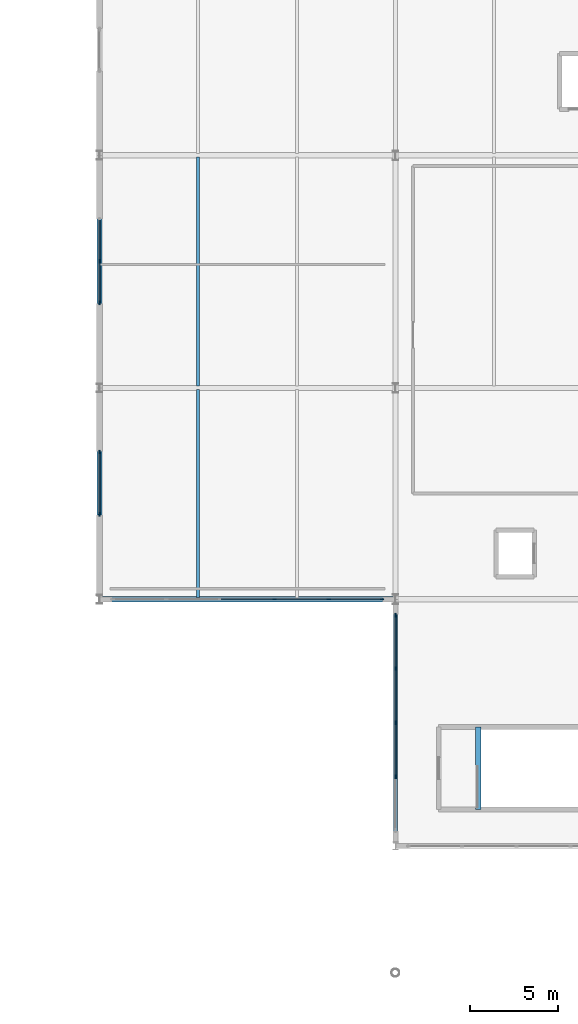
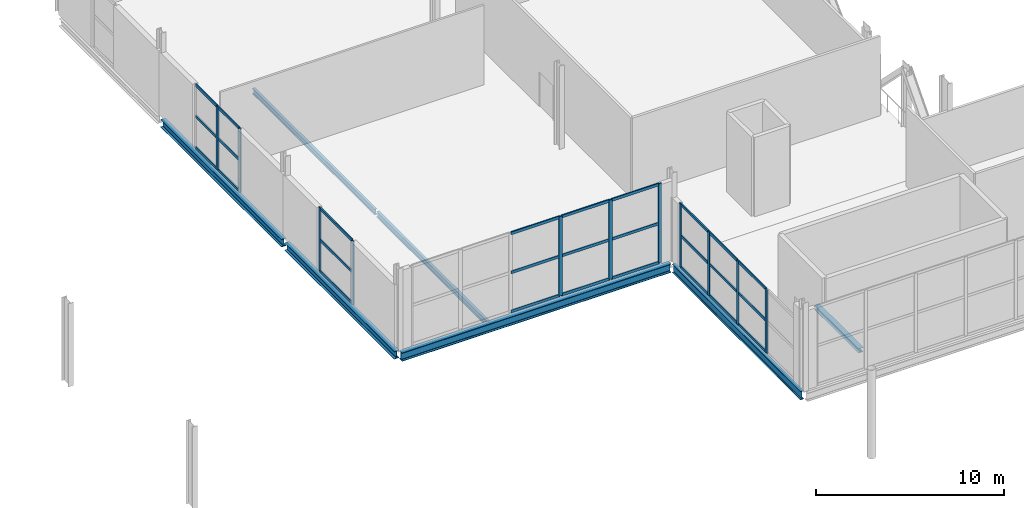
# One storey, part 19 of 84: 38 members, 7 beams, 4 elements without a shape of their own.
"""IFC4 building model written with IfcOpenShell, lengths in metres."""

from ifc_helpers import new_model, si_unit, direction, frame, origin, origin_2d, place, context, subcontext, project, spatial, rectangle, i_section, extrude, material, material_profile, profile_set, type_object, element, aggregate, save


model = new_model("IFC4")

# Units and contexts
model_context = context("Model", 3, precision=1e-05, world=origin(), true_north=direction((0.0, 1.0)))
body_context = subcontext(model_context, "Body", "Model", "MODEL_VIEW")
ifc_project = project(units=[si_unit("LENGTHUNIT", "METRE"), si_unit("AREAUNIT", "SQUARE_METRE"), si_unit("VOLUMEUNIT", "CUBIC_METRE"), si_unit("PLANEANGLEUNIT", "RADIAN"), si_unit("MASSUNIT", "GRAM", prefix="KILO")], contexts=[model_context])

# Site, building, storey
site_placement = place(None, origin())
site = spatial("IfcSite", under=ifc_project, at=site_placement, CompositionType="ELEMENT")
building_placement = place(site_placement, origin())
building = spatial("IfcBuilding", under=site, at=building_placement, Name="Kimbaza Rail Terminus", CompositionType="ELEMENT")
storey_placement = place(building_placement, frame((0.0, 0.0, 5.39990234375)))
storey = spatial("IfcBuildingStorey", under=building, at=storey_placement, Name="L01", CompositionType="ELEMENT", Elevation=5.39990234375)

# Curtain wall, members
ifc_material_1 = material(Name="Anodised aluminium framing and solar low-E glazing", Category="aluminium")
curtain_wall_type = type_object("IfcCurtainWallType", Name="ARC-CW-TH1", PredefinedType="USERDEFINED", material=ifc_material_1)
curtain_wall_1_placement = place(storey_placement, origin())
curtain_wall_1 = element("IfcCurtainWall", 1, at=curtain_wall_1_placement, inside=storey, type_object=curtain_wall_type, Name="Concourse W Return Curtain Wall L01", ObjectType="UNITISED CURTAIN WALL", PredefinedType="USERDEFINED")
ifc_material_2 = material(Name="Anodised architectural aluminium", Category="aluminium")
ifc_material_profile_1 = material_profile(ifc_material_2, rectangle(XDim=0.074951171875, YDim=0.219970703125, at=origin_2d()), Name="MULLION 75x220")
ifc_profile_set_1 = profile_set([ifc_material_profile_1], Name="Anodised architectural aluminium")
member_type_1 = type_object("IfcMemberType", Name="ARC-CWM-01", PredefinedType="MULLION", material=ifc_profile_set_1)
member_1_placement = place(storey_placement, frame((55.199951171875, 44.929931640625, 0.0), z_axis=(0.0, 0.0, 1.0), x_axis=(-1.0, 0.0, 0.0)))
member_1 = element("IfcMember", 2, at=member_1_placement, type_object=member_type_1, Name="CW-01 mullion 2", PredefinedType="MULLION", context=body_context, shape_type="SweptSolid", body=[
    extrude(rectangle(XDim=0.074951171875, YDim=0.219970703125, at=origin_2d()), origin(), (0.0, 0.0, 1.0), 4.125),
])
member_2_placement = place(storey_placement, frame((55.199951171875, 48.0, 0.0), z_axis=(0.0, 0.0, 1.0), x_axis=(-1.0, 0.0, 0.0)))
member_2 = element("IfcMember", 3, at=member_2_placement, type_object=member_type_1, Name="CW-01 mullion 3", PredefinedType="MULLION", context=body_context, shape_type="SweptSolid", body=[
    extrude(rectangle(XDim=0.074951171875, YDim=0.219970703125, at=origin_2d()), origin(), (0.0, 0.0, 1.0), 4.125),
])
member_3_placement = place(storey_placement, frame((55.199951171875, 51.070068359375, 0.0), z_axis=(0.0, 0.0, 1.0), x_axis=(-1.0, 0.0, 0.0)))
member_3 = element("IfcMember", 4, at=member_3_placement, type_object=member_type_1, Name="CW-01 mullion 4", PredefinedType="MULLION", context=body_context, shape_type="SweptSolid", body=[
    extrude(rectangle(XDim=0.074951171875, YDim=0.219970703125, at=origin_2d()), origin(), (0.0, 0.0, 1.0), 4.125),
])
member_4_placement = place(storey_placement, frame((55.199951171875, 54.1025390625, 0.0), z_axis=(0.0, 0.0, 1.0), x_axis=(-1.0, 0.0, 0.0)))
member_4 = element("IfcMember", 5, at=member_4_placement, type_object=member_type_1, Name="CW-01 mullion 5", PredefinedType="MULLION", context=body_context, shape_type="SweptSolid", body=[
    extrude(rectangle(XDim=0.074951171875, YDim=0.219970703125, at=origin_2d()), origin(), (0.0, 0.0, 1.0), 4.125),
])

curtain_wall_2_placement = place(storey_placement, origin())
curtain_wall_2 = element("IfcCurtainWall", 6, at=curtain_wall_2_placement, inside=storey, type_object=curtain_wall_type, Name="Ticket Hall Wing W Curtain Wall L01.1", ObjectType="UNITISED CURTAIN WALL", PredefinedType="USERDEFINED")
member_5_placement = place(storey_placement, frame((48.3359375, 55.0, 0.0), z_axis=(0.0, 0.0, 1.0), x_axis=(0.0, 1.0, 0.0)))
member_5 = element("IfcMember", 7, at=member_5_placement, type_object=member_type_1, Name="CW-01 mullion 4", PredefinedType="MULLION", context=body_context, shape_type="SweptSolid", body=[
    extrude(rectangle(XDim=0.074951171875, YDim=0.219970703125, at=origin_2d()), origin(), (0.0, 0.0, 1.0), 5.14013671875),
])
member_6_placement = place(storey_placement, frame((51.407958984375, 55.0, 0.0), z_axis=(0.0, 0.0, 1.0), x_axis=(0.0, 1.0, 0.0)))
member_6 = element("IfcMember", 8, at=member_6_placement, type_object=member_type_1, Name="CW-01 mullion 5", PredefinedType="MULLION", context=body_context, shape_type="SweptSolid", body=[
    extrude(rectangle(XDim=0.074951171875, YDim=0.219970703125, at=origin_2d()), origin(), (0.0, 0.0, 1.0), 5.14013671875),
])
member_7_placement = place(storey_placement, frame((54.4423828125, 55.0, 0.0), z_axis=(0.0, 0.0, 1.0), x_axis=(0.0, 1.0, 0.0)))
member_7 = element("IfcMember", 9, at=member_7_placement, type_object=member_type_1, Name="CW-01 mullion 6", PredefinedType="MULLION", context=body_context, shape_type="SweptSolid", body=[
    extrude(rectangle(XDim=0.074951171875, YDim=0.219970703125, at=origin_2d()), origin(), (0.0, 0.0, 1.0), 5.14013671875),
])

curtain_wall_3_placement = place(storey_placement, origin())
curtain_wall_3 = element("IfcCurtainWall", 10, at=curtain_wall_3_placement, inside=storey, type_object=curtain_wall_type, Name="Ticket Hall W Glazing L01.1", ObjectType="UNITISED CURTAIN WALL", PredefinedType="USERDEFINED")
member_8_placement = place(storey_placement, frame((38.39990234375, 59.83740234375, 0.0), z_axis=(0.0, 0.0, 1.0), x_axis=(-1.0, 0.0, 0.0)))
member_8 = element("IfcMember", 11, at=member_8_placement, type_object=member_type_1, Name="CW-01 mullion 1", PredefinedType="MULLION", context=body_context, shape_type="SweptSolid", body=[
    extrude(rectangle(XDim=0.074951171875, YDim=0.219970703125, at=origin_2d()), origin(), (0.0, 0.0, 1.0), 4.125),
])
member_9_placement = place(storey_placement, frame((38.39990234375, 63.362548828125, 0.0), z_axis=(0.0, 0.0, 1.0), x_axis=(-1.0, 0.0, 0.0)))
member_9 = element("IfcMember", 12, at=member_9_placement, type_object=member_type_1, Name="CW-01 mullion 2", PredefinedType="MULLION", context=body_context, shape_type="SweptSolid", body=[
    extrude(rectangle(XDim=0.074951171875, YDim=0.219970703125, at=origin_2d()), origin(), (0.0, 0.0, 1.0), 4.125),
])

curtain_wall_4_placement = place(storey_placement, origin())
curtain_wall_4 = element("IfcCurtainWall", 13, at=curtain_wall_4_placement, inside=storey, type_object=curtain_wall_type, Name="Ticket Hall W Glazing L01.2", ObjectType="UNITISED CURTAIN WALL", PredefinedType="USERDEFINED")
member_10_placement = place(storey_placement, frame((38.39990234375, 71.83740234375, 0.0), z_axis=(0.0, 0.0, 1.0), x_axis=(-1.0, 0.0, 0.0)))
member_10 = element("IfcMember", 14, at=member_10_placement, type_object=member_type_1, Name="CW-01 mullion 1", PredefinedType="MULLION", context=body_context, shape_type="SweptSolid", body=[
    extrude(rectangle(XDim=0.074951171875, YDim=0.219970703125, at=origin_2d()), origin(), (0.0, 0.0, 1.0), 4.125),
])
member_11_placement = place(storey_placement, frame((38.39990234375, 74.199951171875, 0.0), z_axis=(0.0, 0.0, 1.0), x_axis=(-1.0, 0.0, 0.0)))
member_11 = element("IfcMember", 15, at=member_11_placement, type_object=member_type_1, Name="CW-01 mullion 2", PredefinedType="MULLION", context=body_context, shape_type="SweptSolid", body=[
    extrude(rectangle(XDim=0.074951171875, YDim=0.219970703125, at=origin_2d()), origin(), (0.0, 0.0, 1.0), 4.125),
])

# Member
ifc_material_3 = material(Name="Anodised architectural aluminium", Category="aluminium")
ifc_material_profile_2 = material_profile(ifc_material_3, rectangle(XDim=0.074951171875, YDim=0.179931640625, at=origin_2d()), Name="TRANSOM 75x180")
ifc_profile_set_2 = profile_set([ifc_material_profile_2], Name="Anodised architectural aluminium")
member_type_2 = type_object("IfcMemberType", Name="ARC-CWT-01", PredefinedType="USERDEFINED", material=ifc_profile_set_2)
member_12_placement = place(storey_placement, frame((55.199951171875, 44.967529296875, 0.03759765625), z_axis=(0.0, 1.0, 0.0), x_axis=(-1.0, 0.0, 0.0)))
member_12 = element("IfcMember", 16, at=member_12_placement, type_object=member_type_2, Name="CW-01 transom 2.1", ObjectType="TRANSOM", PredefinedType="USERDEFINED", context=body_context, shape_type="SweptSolid", body=[
    extrude(rectangle(XDim=0.074951171875, YDim=0.179931640625, at=origin_2d()), origin(), (0.0, 0.0, 1.0), 2.994873046875),
])

member_13_placement = place(storey_placement, frame((55.199951171875, 44.967529296875, 2.0625), z_axis=(0.0, 1.0, 0.0), x_axis=(-1.0, 0.0, 0.0)))
member_13 = element("IfcMember", 17, at=member_13_placement, type_object=member_type_2, Name="CW-01 transom 2.2", ObjectType="TRANSOM", PredefinedType="USERDEFINED", context=body_context, shape_type="SweptSolid", body=[
    extrude(rectangle(XDim=0.074951171875, YDim=0.179931640625, at=origin_2d()), origin(), (0.0, 0.0, 1.0), 2.994873046875),
])

member_14_placement = place(storey_placement, frame((55.199951171875, 44.967529296875, 4.087646484375), z_axis=(0.0, 1.0, 0.0), x_axis=(-1.0, 0.0, 0.0)))
member_14 = element("IfcMember", 18, at=member_14_placement, type_object=member_type_2, Name="CW-01 transom 2.3", ObjectType="TRANSOM", PredefinedType="USERDEFINED", context=body_context, shape_type="SweptSolid", body=[
    extrude(rectangle(XDim=0.074951171875, YDim=0.179931640625, at=origin_2d()), origin(), (0.0, 0.0, 1.0), 2.994873046875),
])

member_15_placement = place(storey_placement, frame((55.199951171875, 48.03759765625, 0.03759765625), z_axis=(0.0, 1.0, 0.0), x_axis=(-1.0, 0.0, 0.0)))
member_15 = element("IfcMember", 19, at=member_15_placement, type_object=member_type_2, Name="CW-01 transom 3.1", ObjectType="TRANSOM", PredefinedType="USERDEFINED", context=body_context, shape_type="SweptSolid", body=[
    extrude(rectangle(XDim=0.074951171875, YDim=0.179931640625, at=origin_2d()), origin(), (0.0, 0.0, 1.0), 2.994873046875),
])

member_16_placement = place(storey_placement, frame((55.199951171875, 48.03759765625, 2.0625), z_axis=(0.0, 1.0, 0.0), x_axis=(-1.0, 0.0, 0.0)))
member_16 = element("IfcMember", 20, at=member_16_placement, type_object=member_type_2, Name="CW-01 transom 3.2", ObjectType="TRANSOM", PredefinedType="USERDEFINED", context=body_context, shape_type="SweptSolid", body=[
    extrude(rectangle(XDim=0.074951171875, YDim=0.179931640625, at=origin_2d()), origin(), (0.0, 0.0, 1.0), 2.994873046875),
])

member_17_placement = place(storey_placement, frame((55.199951171875, 48.03759765625, 4.087646484375), z_axis=(0.0, 1.0, 0.0), x_axis=(-1.0, 0.0, 0.0)))
member_17 = element("IfcMember", 21, at=member_17_placement, type_object=member_type_2, Name="CW-01 transom 3.3", ObjectType="TRANSOM", PredefinedType="USERDEFINED", context=body_context, shape_type="SweptSolid", body=[
    extrude(rectangle(XDim=0.074951171875, YDim=0.179931640625, at=origin_2d()), origin(), (0.0, 0.0, 1.0), 2.994873046875),
])

member_18_placement = place(storey_placement, frame((55.199951171875, 51.107421875, 0.03759765625), z_axis=(0.0, 1.0, 0.0), x_axis=(-1.0, 0.0, 0.0)))
member_18 = element("IfcMember", 22, at=member_18_placement, type_object=member_type_2, Name="CW-01 transom 4.1", ObjectType="TRANSOM", PredefinedType="USERDEFINED", context=body_context, shape_type="SweptSolid", body=[
    extrude(rectangle(XDim=0.074951171875, YDim=0.179931640625, at=origin_2d()), origin(), (0.0, 0.0, 1.0), 2.95751953125),
])

member_19_placement = place(storey_placement, frame((55.199951171875, 51.107421875, 2.0625), z_axis=(0.0, 1.0, 0.0), x_axis=(-1.0, 0.0, 0.0)))
member_19 = element("IfcMember", 23, at=member_19_placement, type_object=member_type_2, Name="CW-01 transom 4.2", ObjectType="TRANSOM", PredefinedType="USERDEFINED", context=body_context, shape_type="SweptSolid", body=[
    extrude(rectangle(XDim=0.074951171875, YDim=0.179931640625, at=origin_2d()), origin(), (0.0, 0.0, 1.0), 2.95751953125),
])

member_20_placement = place(storey_placement, frame((55.199951171875, 51.107421875, 4.087646484375), z_axis=(0.0, 1.0, 0.0), x_axis=(-1.0, 0.0, 0.0)))
member_20 = element("IfcMember", 24, at=member_20_placement, type_object=member_type_2, Name="CW-01 transom 4.3", ObjectType="TRANSOM", PredefinedType="USERDEFINED", context=body_context, shape_type="SweptSolid", body=[
    extrude(rectangle(XDim=0.074951171875, YDim=0.179931640625, at=origin_2d()), origin(), (0.0, 0.0, 1.0), 2.95751953125),
])

aggregate(curtain_wall_1, [member_1, member_2, member_3, member_4, member_12, member_13, member_14, member_15, member_16, member_17, member_18, member_19, member_20])

member_21_placement = place(storey_placement, frame((45.301513671875, 55.0, 0.03759765625), z_axis=(1.0, 0.0, 0.0), x_axis=(0.0, 1.0, 0.0)))
member_21 = element("IfcMember", 25, at=member_21_placement, type_object=member_type_2, Name="CW-01 transom 3.1", ObjectType="TRANSOM", PredefinedType="USERDEFINED", context=body_context, shape_type="SweptSolid", body=[
    extrude(rectangle(XDim=0.074951171875, YDim=0.179931640625, at=origin_2d()), origin(), (0.0, 0.0, 1.0), 2.9970703125),
])

member_22_placement = place(storey_placement, frame((45.301513671875, 55.0, 2.570068359375), z_axis=(1.0, 0.0, 0.0), x_axis=(0.0, 1.0, 0.0)))
member_22 = element("IfcMember", 26, at=member_22_placement, type_object=member_type_2, Name="CW-01 transom 3.2", ObjectType="TRANSOM", PredefinedType="USERDEFINED", context=body_context, shape_type="SweptSolid", body=[
    extrude(rectangle(XDim=0.074951171875, YDim=0.179931640625, at=origin_2d()), origin(), (0.0, 0.0, 1.0), 2.9970703125),
])

member_23_placement = place(storey_placement, frame((45.301513671875, 55.0, 5.1025390625), z_axis=(1.0, 0.0, 0.0), x_axis=(0.0, 1.0, 0.0)))
member_23 = element("IfcMember", 27, at=member_23_placement, type_object=member_type_2, Name="CW-01 transom 3.3", ObjectType="TRANSOM", PredefinedType="USERDEFINED", context=body_context, shape_type="SweptSolid", body=[
    extrude(rectangle(XDim=0.074951171875, YDim=0.179931640625, at=origin_2d()), origin(), (0.0, 0.0, 1.0), 2.9970703125),
])

member_24_placement = place(storey_placement, frame((48.37353515625, 55.0, 0.03759765625), z_axis=(1.0, 0.0, 0.0), x_axis=(0.0, 1.0, 0.0)))
member_24 = element("IfcMember", 28, at=member_24_placement, type_object=member_type_2, Name="CW-01 transom 4.1", ObjectType="TRANSOM", PredefinedType="USERDEFINED", context=body_context, shape_type="SweptSolid", body=[
    extrude(rectangle(XDim=0.074951171875, YDim=0.179931640625, at=origin_2d()), origin(), (0.0, 0.0, 1.0), 2.9970703125),
])

member_25_placement = place(storey_placement, frame((48.37353515625, 55.0, 2.570068359375), z_axis=(1.0, 0.0, 0.0), x_axis=(0.0, 1.0, 0.0)))
member_25 = element("IfcMember", 29, at=member_25_placement, type_object=member_type_2, Name="CW-01 transom 4.2", ObjectType="TRANSOM", PredefinedType="USERDEFINED", context=body_context, shape_type="SweptSolid", body=[
    extrude(rectangle(XDim=0.074951171875, YDim=0.179931640625, at=origin_2d()), origin(), (0.0, 0.0, 1.0), 2.9970703125),
])

member_26_placement = place(storey_placement, frame((48.37353515625, 55.0, 5.1025390625), z_axis=(1.0, 0.0, 0.0), x_axis=(0.0, 1.0, 0.0)))
member_26 = element("IfcMember", 30, at=member_26_placement, type_object=member_type_2, Name="CW-01 transom 4.3", ObjectType="TRANSOM", PredefinedType="USERDEFINED", context=body_context, shape_type="SweptSolid", body=[
    extrude(rectangle(XDim=0.074951171875, YDim=0.179931640625, at=origin_2d()), origin(), (0.0, 0.0, 1.0), 2.9970703125),
])

member_27_placement = place(storey_placement, frame((51.445556640625, 55.0, 0.03759765625), z_axis=(1.0, 0.0, 0.0), x_axis=(0.0, 1.0, 0.0)))
member_27 = element("IfcMember", 31, at=member_27_placement, type_object=member_type_2, Name="CW-01 transom 5.1", ObjectType="TRANSOM", PredefinedType="USERDEFINED", context=body_context, shape_type="SweptSolid", body=[
    extrude(rectangle(XDim=0.074951171875, YDim=0.179931640625, at=origin_2d()), origin(), (0.0, 0.0, 1.0), 2.95947265625),
])

member_28_placement = place(storey_placement, frame((51.445556640625, 55.0, 2.570068359375), z_axis=(1.0, 0.0, 0.0), x_axis=(0.0, 1.0, 0.0)))
member_28 = element("IfcMember", 32, at=member_28_placement, type_object=member_type_2, Name="CW-01 transom 5.2", ObjectType="TRANSOM", PredefinedType="USERDEFINED", context=body_context, shape_type="SweptSolid", body=[
    extrude(rectangle(XDim=0.074951171875, YDim=0.179931640625, at=origin_2d()), origin(), (0.0, 0.0, 1.0), 2.95947265625),
])

member_29_placement = place(storey_placement, frame((51.445556640625, 55.0, 5.1025390625), z_axis=(1.0, 0.0, 0.0), x_axis=(0.0, 1.0, 0.0)))
member_29 = element("IfcMember", 33, at=member_29_placement, type_object=member_type_2, Name="CW-01 transom 5.3", ObjectType="TRANSOM", PredefinedType="USERDEFINED", context=body_context, shape_type="SweptSolid", body=[
    extrude(rectangle(XDim=0.074951171875, YDim=0.179931640625, at=origin_2d()), origin(), (0.0, 0.0, 1.0), 2.95947265625),
])

aggregate(curtain_wall_2, [member_5, member_6, member_7, member_21, member_22, member_23, member_24, member_25, member_26, member_27, member_28, member_29])

member_30_placement = place(storey_placement, frame((38.39990234375, 59.875, 0.03759765625), z_axis=(0.0, 1.0, 0.0), x_axis=(-1.0, 0.0, 0.0)))
member_30 = element("IfcMember", 34, at=member_30_placement, type_object=member_type_2, Name="CW-01 transom 1.1", ObjectType="TRANSOM", PredefinedType="USERDEFINED", context=body_context, shape_type="SweptSolid", body=[
    extrude(rectangle(XDim=0.074951171875, YDim=0.179931640625, at=origin_2d()), origin(), (0.0, 0.0, 1.0), 3.449951171875),
])

member_31_placement = place(storey_placement, frame((38.39990234375, 59.875, 2.0625), z_axis=(0.0, 1.0, 0.0), x_axis=(-1.0, 0.0, 0.0)))
member_31 = element("IfcMember", 35, at=member_31_placement, type_object=member_type_2, Name="CW-01 transom 1.2", ObjectType="TRANSOM", PredefinedType="USERDEFINED", context=body_context, shape_type="SweptSolid", body=[
    extrude(rectangle(XDim=0.074951171875, YDim=0.179931640625, at=origin_2d()), origin(), (0.0, 0.0, 1.0), 3.449951171875),
])

member_32_placement = place(storey_placement, frame((38.39990234375, 59.875, 4.087646484375), z_axis=(0.0, 1.0, 0.0), x_axis=(-1.0, 0.0, 0.0)))
member_32 = element("IfcMember", 36, at=member_32_placement, type_object=member_type_2, Name="CW-01 transom 1.3", ObjectType="TRANSOM", PredefinedType="USERDEFINED", context=body_context, shape_type="SweptSolid", body=[
    extrude(rectangle(XDim=0.074951171875, YDim=0.179931640625, at=origin_2d()), origin(), (0.0, 0.0, 1.0), 3.449951171875),
])

aggregate(curtain_wall_3, [member_8, member_9, member_30, member_31, member_32])

member_33_placement = place(storey_placement, frame((38.39990234375, 71.875, 0.03759765625), z_axis=(0.0, 1.0, 0.0), x_axis=(-1.0, 0.0, 0.0)))
member_33 = element("IfcMember", 37, at=member_33_placement, type_object=member_type_2, Name="CW-01 transom 1.1", ObjectType="TRANSOM", PredefinedType="USERDEFINED", context=body_context, shape_type="SweptSolid", body=[
    extrude(rectangle(XDim=0.074951171875, YDim=0.179931640625, at=origin_2d()), origin(), (0.0, 0.0, 1.0), 2.28759765625),
])

member_34_placement = place(storey_placement, frame((38.39990234375, 71.875, 2.0625), z_axis=(0.0, 1.0, 0.0), x_axis=(-1.0, 0.0, 0.0)))
member_34 = element("IfcMember", 38, at=member_34_placement, type_object=member_type_2, Name="CW-01 transom 1.2", ObjectType="TRANSOM", PredefinedType="USERDEFINED", context=body_context, shape_type="SweptSolid", body=[
    extrude(rectangle(XDim=0.074951171875, YDim=0.179931640625, at=origin_2d()), origin(), (0.0, 0.0, 1.0), 2.28759765625),
])

member_35_placement = place(storey_placement, frame((38.39990234375, 71.875, 4.087646484375), z_axis=(0.0, 1.0, 0.0), x_axis=(-1.0, 0.0, 0.0)))
member_35 = element("IfcMember", 39, at=member_35_placement, type_object=member_type_2, Name="CW-01 transom 1.3", ObjectType="TRANSOM", PredefinedType="USERDEFINED", context=body_context, shape_type="SweptSolid", body=[
    extrude(rectangle(XDim=0.074951171875, YDim=0.179931640625, at=origin_2d()), origin(), (0.0, 0.0, 1.0), 2.28759765625),
])

member_36_placement = place(storey_placement, frame((38.39990234375, 74.237548828125, 0.03759765625), z_axis=(0.0, 1.0, 0.0), x_axis=(-1.0, 0.0, 0.0)))
member_36 = element("IfcMember", 40, at=member_36_placement, type_object=member_type_2, Name="CW-01 transom 2.1", ObjectType="TRANSOM", PredefinedType="USERDEFINED", context=body_context, shape_type="SweptSolid", body=[
    extrude(rectangle(XDim=0.074951171875, YDim=0.179931640625, at=origin_2d()), origin(), (0.0, 0.0, 1.0), 2.287353515625),
])

member_37_placement = place(storey_placement, frame((38.39990234375, 74.237548828125, 2.0625), z_axis=(0.0, 1.0, 0.0), x_axis=(-1.0, 0.0, 0.0)))
member_37 = element("IfcMember", 41, at=member_37_placement, type_object=member_type_2, Name="CW-01 transom 2.2", ObjectType="TRANSOM", PredefinedType="USERDEFINED", context=body_context, shape_type="SweptSolid", body=[
    extrude(rectangle(XDim=0.074951171875, YDim=0.179931640625, at=origin_2d()), origin(), (0.0, 0.0, 1.0), 2.287353515625),
])

member_38_placement = place(storey_placement, frame((38.39990234375, 74.237548828125, 4.087646484375), z_axis=(0.0, 1.0, 0.0), x_axis=(-1.0, 0.0, 0.0)))
member_38 = element("IfcMember", 42, at=member_38_placement, type_object=member_type_2, Name="CW-01 transom 2.3", ObjectType="TRANSOM", PredefinedType="USERDEFINED", context=body_context, shape_type="SweptSolid", body=[
    extrude(rectangle(XDim=0.074951171875, YDim=0.179931640625, at=origin_2d()), origin(), (0.0, 0.0, 1.0), 2.287353515625),
])

aggregate(curtain_wall_4, [member_10, member_11, member_33, member_34, member_35, member_36, member_37, member_38])

# Beams
ifc_material_4 = material(Name="Steel S355", Category="steel")
ifc_material_profile_3 = material_profile(ifc_material_4, i_section(OverallWidth=0.300048828125, OverallDepth=0.2900390625, WebThickness=0.008544921875, FlangeThickness=0.013916015625, FilletRadius=0.027099609375, at=origin_2d()), Name="HEA 300")
ifc_profile_set_3 = profile_set([ifc_material_profile_3], Name="Steel S355")
beam_type_1 = type_object("IfcBeamType", Name="STR-BM-HEA300", PredefinedType="SPANDREL", material=ifc_profile_set_3)
beam_1_placement = place(storey_placement, frame((59.89990234375, 43.06005859375, -0.364990234375), z_axis=(0.0, 1.0, 0.0), x_axis=(-1.0, 0.0, 0.0)))
element("IfcBeam", 43, at=beam_1_placement, inside=storey, type_object=beam_type_1, Name="South Metro Concourse West Stair Landing Trimmer Beam L01", PredefinedType="SPANDREL", context=body_context, shape_type="SweptSolid", body=[
    extrude(i_section(OverallWidth=0.300048828125, OverallDepth=0.2900390625, WebThickness=0.008544921875, FlangeThickness=0.013916015625, FilletRadius=0.027099609375, at=origin_2d()), origin(), (0.0, 0.0, 1.0), 4.679931640625),
])
ifc_material_5 = material(Name="Steel S355", Category="steel")
ifc_material_profile_4 = material_profile(ifc_material_5, i_section(OverallWidth=0.300048828125, OverallDepth=0.5, WebThickness=0.014404296875, FlangeThickness=0.028076171875, FilletRadius=0.027099609375, at=origin_2d()), Name="HEB 500")
ifc_profile_set_4 = profile_set([ifc_material_profile_4], Name="Steel S355")
beam_type_2 = type_object("IfcBeamType", Name="STR-BM-HEB500", PredefinedType="BEAM", material=ifc_profile_set_4)
beam_2_placement = place(storey_placement, frame((38.39990234375, 55.175048828125, -0.469970703125), z_axis=(0.0, 1.0, 0.0), x_axis=(-1.0, 0.0, 0.0)))
element("IfcBeam", 44, at=beam_2_placement, inside=storey, type_object=beam_type_2, Name="Beam BM-V2WY-L01-0-55", PredefinedType="BEAM", context=body_context, shape_type="SweptSolid", body=[
    extrude(i_section(OverallWidth=0.300048828125, OverallDepth=0.5, WebThickness=0.014404296875, FlangeThickness=0.028076171875, FilletRadius=0.027099609375, at=origin_2d()), origin(), (0.0, 0.0, 1.0), 11.64990234375),
])
beam_3_placement = place(storey_placement, frame((38.39990234375, 67.175048828125, -0.469970703125), z_axis=(0.0, 1.0, 0.0), x_axis=(-1.0, 0.0, 0.0)))
element("IfcBeam", 45, at=beam_3_placement, inside=storey, type_object=beam_type_2, Name="Beam BM-V2WY-L01-0-67", PredefinedType="BEAM", context=body_context, shape_type="SweptSolid", body=[
    extrude(i_section(OverallWidth=0.300048828125, OverallDepth=0.5, WebThickness=0.014404296875, FlangeThickness=0.028076171875, FilletRadius=0.027099609375, at=origin_2d()), origin(), (0.0, 0.0, 1.0), 12.849853515625),
])
ifc_material_6 = material(Name="Steel S355", Category="steel")
ifc_material_profile_5 = material_profile(ifc_material_6, i_section(OverallWidth=0.300048828125, OverallDepth=0.550048828125, WebThickness=0.014892578125, FlangeThickness=0.029052734375, FilletRadius=0.027099609375, at=origin_2d()), Name="HEB 550")
ifc_profile_set_5 = profile_set([ifc_material_profile_5], Name="Steel S355")
beam_type_3 = type_object("IfcBeamType", Name="STR-BM-HEB550", PredefinedType="BEAM", material=ifc_profile_set_5)
beam_4_placement = place(storey_placement, frame((38.5458984375, 55.0, -0.494873046875), z_axis=(1.0, 0.0, 0.0), x_axis=(0.0, 1.0, 0.0)))
element("IfcBeam", 46, at=beam_4_placement, inside=storey, type_object=beam_type_3, Name="Beam BM-V2X-L01-55-0", PredefinedType="BEAM", context=body_context, shape_type="SweptSolid", body=[
    extrude(i_section(OverallWidth=0.300048828125, OverallDepth=0.550048828125, WebThickness=0.014892578125, FlangeThickness=0.029052734375, FilletRadius=0.027099609375, at=origin_2d()), origin(), (0.0, 0.0, 1.0), 16.508056640625),
])
ifc_material_7 = material(Name="Steel S355", Category="steel")
ifc_material_profile_6 = material_profile(ifc_material_7, i_section(OverallWidth=0.169921875, OverallDepth=0.360107421875, WebThickness=0.008056640625, FlangeThickness=0.0126953125, FilletRadius=0.01806640625, at=origin_2d()), Name="IPE 360")
ifc_profile_set_6 = profile_set([ifc_material_profile_6], Name="Steel S355")
beam_type_4 = type_object("IfcBeamType", Name="STR-BM-IPE360", PredefinedType="JOIST", material=ifc_profile_set_6)
beam_5_placement = place(storey_placement, frame((44.0, 55.10009765625, -0.39990234375), z_axis=(0.0, 1.0, 0.0), x_axis=(-1.0, 0.0, 0.0)))
element("IfcBeam", 47, at=beam_5_placement, inside=storey, type_object=beam_type_4, Name="Beam JST-V2W-L01-0-1-55", PredefinedType="JOIST", context=body_context, shape_type="SweptSolid", body=[
    extrude(i_section(OverallWidth=0.169921875, OverallDepth=0.360107421875, WebThickness=0.008056640625, FlangeThickness=0.0126953125, FilletRadius=0.01806640625, at=origin_2d()), origin(), (0.0, 0.0, 1.0), 11.7998046875),
])
beam_6_placement = place(storey_placement, frame((44.0, 67.10009765625, -0.39990234375), z_axis=(0.0, 1.0, 0.0), x_axis=(-1.0, 0.0, 0.0)))
element("IfcBeam", 48, at=beam_6_placement, inside=storey, type_object=beam_type_4, Name="Beam JST-V2W-L01-0-1-67", PredefinedType="JOIST", context=body_context, shape_type="SweptSolid", body=[
    extrude(i_section(OverallWidth=0.169921875, OverallDepth=0.360107421875, WebThickness=0.008056640625, FlangeThickness=0.0126953125, FilletRadius=0.01806640625, at=origin_2d()), origin(), (0.0, 0.0, 1.0), 13.0),
])
ifc_material_8 = material(Name="Steel S355", Category="steel")
ifc_material_profile_7 = material_profile(ifc_material_8, i_section(OverallWidth=0.2099609375, OverallDepth=0.550048828125, WebThickness=0.010986328125, FlangeThickness=0.01708984375, FilletRadius=0.02392578125, at=origin_2d()), Name="IPE 550")
ifc_profile_set_7 = profile_set([ifc_material_profile_7], Name="Steel S355")
beam_type_5 = type_object("IfcBeamType", Name="STR-BM-IPE550", PredefinedType="BEAM", material=ifc_profile_set_7)
beam_7_placement = place(storey_placement, frame((55.199951171875, 41.175048828125, -0.494873046875), z_axis=(0.0, 1.0, 0.0), x_axis=(-1.0, 0.0, 0.0)))
element("IfcBeam", 49, at=beam_7_placement, inside=storey, type_object=beam_type_5, Name="Beam BM-V2Y-L01-0-41", PredefinedType="BEAM", context=body_context, shape_type="SweptSolid", body=[
    extrude(i_section(OverallWidth=0.2099609375, OverallDepth=0.550048828125, WebThickness=0.010986328125, FlangeThickness=0.01708984375, FilletRadius=0.02392578125, at=origin_2d()), origin(), (0.0, 0.0, 1.0), 13.64990234375),
])

save(model, "model.ifc")
